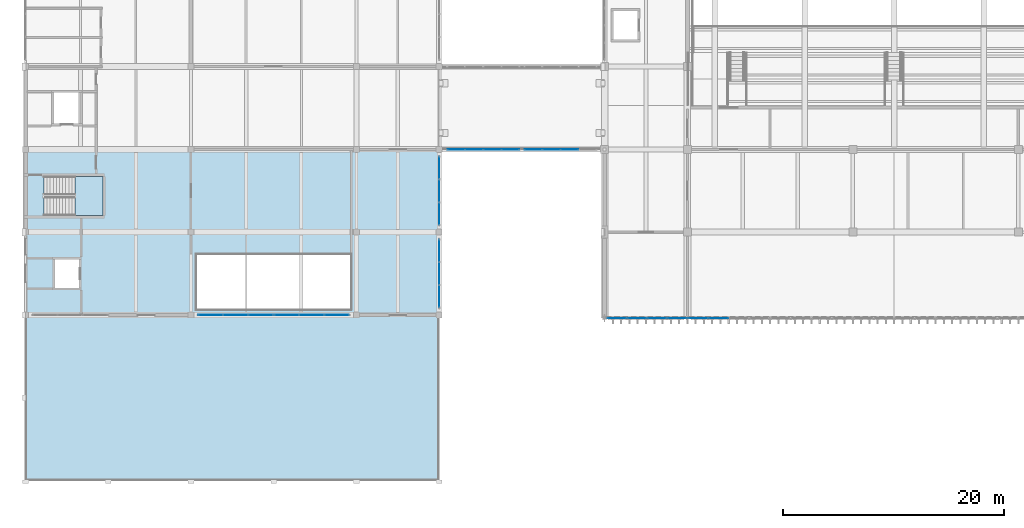
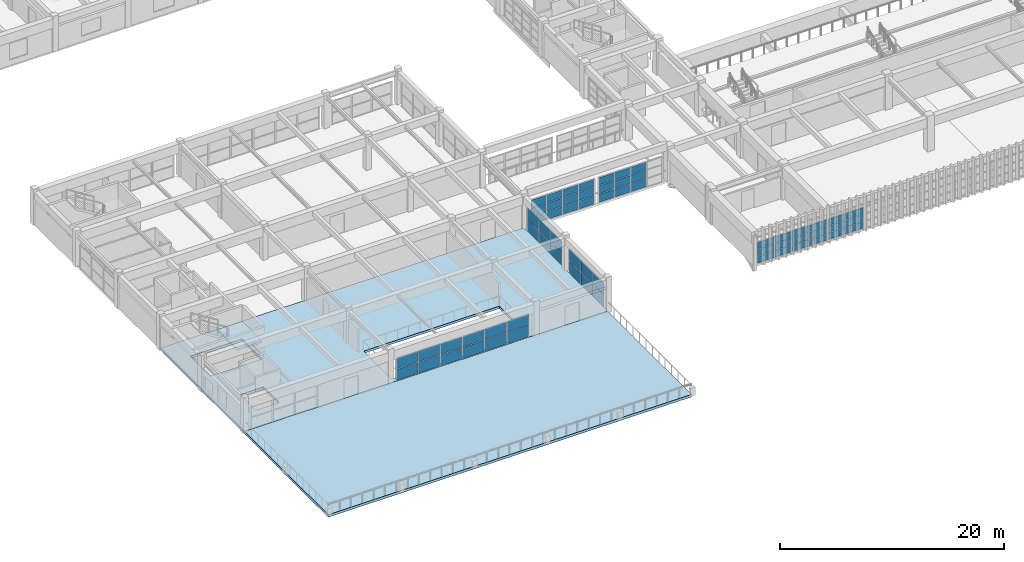
# One storey, part 62 of 101: 63 plates, 3 slabs, 9 elements without a shape of their own.
"""IFC4 building model written with IfcOpenShell, lengths in metres."""

from ifc_helpers import new_model, si_unit, direction, frame, origin, origin_2d, place, context, subcontext, project, spatial, polyline, rectangle, outline, extrude, material, layer, layer_set, type_object, element, aggregate, save


model = new_model("IFC4")

# Units and contexts
model_context = context("Model", 3, precision=1e-05, world=origin(), true_north=direction((0.0, 1.0)))
body_context = subcontext(model_context, "Body", "Model", "MODEL_VIEW")
ifc_project = project(units=[si_unit("LENGTHUNIT", "METRE"), si_unit("AREAUNIT", "SQUARE_METRE"), si_unit("VOLUMEUNIT", "CUBIC_METRE"), si_unit("PLANEANGLEUNIT", "RADIAN"), si_unit("MASSUNIT", "GRAM", prefix="KILO")], contexts=[model_context])

# Site, building, storey
site_placement = place(None, origin())
site = spatial("IfcSite", under=ifc_project, at=site_placement, CompositionType="ELEMENT")
building_placement = place(site_placement, origin())
building = spatial("IfcBuilding", under=site, at=building_placement, Name="Qasida Concert Hall", CompositionType="ELEMENT")
storey_placement = place(building_placement, frame((0.0, 0.0, 13.199951171875)))
storey = spatial("IfcBuildingStorey", under=building, at=storey_placement, Name="L03", CompositionType="ELEMENT", Elevation=13.199951171875)

# Curtain wall, plates
ifc_material_1 = material(Name="Architectural bronze-anodized aluminium and low-E glass", Category="aluminium")
curtain_wall_type_1 = type_object("IfcCurtainWallType", Name="CW-04", PredefinedType="NOTDEFINED", material=ifc_material_1)
curtain_wall_1_placement = place(storey_placement, origin())
curtain_wall_1 = element("IfcCurtainWall", 1, at=curtain_wall_1_placement, inside=storey, type_object=curtain_wall_type_1, Name="L03 curtain wall CW-04 0015", PredefinedType="NOTDEFINED")
ifc_material_2 = material(Name="Solar-control low-E double glazing", Category="glass")
ifc_layer_1 = layer(ifc_material_2, 0.031982421875, Name="Solar-control low-E double glazing")
ifc_layer_set_1 = layer_set([ifc_layer_1], Name="Solar-control low-E double glazing")
plate_type_1 = type_object("IfcPlateType", Name="PLT-CWP-2", PredefinedType="CURTAIN_PANEL", material=ifc_layer_set_1)
plate_1_placement = place(storey_placement, frame((53.626220703125, 14.699951171875, 0.06005859375), z_axis=(0.0, 0.0, 1.0), x_axis=(1.0, 0.0, 0.0)))
plate_1 = element("IfcPlate", 2, at=plate_1_placement, type_object=plate_type_1, Name="CW-04 panel 1.1", PredefinedType="CURTAIN_PANEL", context=body_context, shape_type="SweptSolid", body=[
    extrude(rectangle(XDim=1.722412109375, YDim=0.031982421875, at=origin_2d()), origin(), (0.0, 0.0, 1.0), 0.706787109375),
])
plate_2_placement = place(storey_placement, frame((53.626220703125, 14.699951171875, 0.82666015625), z_axis=(0.0, 0.0, 1.0), x_axis=(1.0, 0.0, 0.0)))
plate_2 = element("IfcPlate", 3, at=plate_2_placement, type_object=plate_type_1, Name="CW-04 panel 1.2", PredefinedType="CURTAIN_PANEL", context=body_context, shape_type="SweptSolid", body=[
    extrude(rectangle(XDim=1.722412109375, YDim=0.031982421875, at=origin_2d()), origin(), (0.0, 0.0, 1.0), 0.736572265625),
])
plate_3_placement = place(storey_placement, frame((53.626220703125, 14.699951171875, 1.62353515625), z_axis=(0.0, 0.0, 1.0), x_axis=(1.0, 0.0, 0.0)))
plate_3 = element("IfcPlate", 4, at=plate_3_placement, type_object=plate_type_1, Name="CW-04 panel 1.3", PredefinedType="CURTAIN_PANEL", context=body_context, shape_type="SweptSolid", body=[
    extrude(rectangle(XDim=1.722412109375, YDim=0.031982421875, at=origin_2d()), origin(), (0.0, 0.0, 1.0), 0.706787109375),
])
plate_4_placement = place(storey_placement, frame((55.429931640625, 14.699951171875, 0.06005859375), z_axis=(0.0, 0.0, 1.0), x_axis=(1.0, 0.0, 0.0)))
plate_4 = element("IfcPlate", 5, at=plate_4_placement, type_object=plate_type_1, Name="CW-04 panel 2.1", PredefinedType="CURTAIN_PANEL", context=body_context, shape_type="SweptSolid", body=[
    extrude(rectangle(XDim=1.7548828125, YDim=0.031982421875, at=origin_2d()), origin(), (0.0, 0.0, 1.0), 0.706787109375),
])
plate_5_placement = place(storey_placement, frame((55.429931640625, 14.699951171875, 0.82666015625), z_axis=(0.0, 0.0, 1.0), x_axis=(1.0, 0.0, 0.0)))
plate_5 = element("IfcPlate", 6, at=plate_5_placement, type_object=plate_type_1, Name="CW-04 panel 2.2", PredefinedType="CURTAIN_PANEL", context=body_context, shape_type="SweptSolid", body=[
    extrude(rectangle(XDim=1.7548828125, YDim=0.031982421875, at=origin_2d()), origin(), (0.0, 0.0, 1.0), 0.736572265625),
])
plate_6_placement = place(storey_placement, frame((55.429931640625, 14.699951171875, 1.62353515625), z_axis=(0.0, 0.0, 1.0), x_axis=(1.0, 0.0, 0.0)))
plate_6 = element("IfcPlate", 7, at=plate_6_placement, type_object=plate_type_1, Name="CW-04 panel 2.3", PredefinedType="CURTAIN_PANEL", context=body_context, shape_type="SweptSolid", body=[
    extrude(rectangle(XDim=1.7548828125, YDim=0.031982421875, at=origin_2d()), origin(), (0.0, 0.0, 1.0), 0.706787109375),
])
plate_7_placement = place(storey_placement, frame((57.25, 14.699951171875, 0.06005859375), z_axis=(0.0, 0.0, 1.0), x_axis=(1.0, 0.0, 0.0)))
plate_7 = element("IfcPlate", 8, at=plate_7_placement, type_object=plate_type_1, Name="CW-04 panel 3.1", PredefinedType="CURTAIN_PANEL", context=body_context, shape_type="SweptSolid", body=[
    extrude(rectangle(XDim=1.7548828125, YDim=0.031982421875, at=origin_2d()), origin(), (0.0, 0.0, 1.0), 0.706787109375),
])
plate_8_placement = place(storey_placement, frame((57.25, 14.699951171875, 0.82666015625), z_axis=(0.0, 0.0, 1.0), x_axis=(1.0, 0.0, 0.0)))
plate_8 = element("IfcPlate", 9, at=plate_8_placement, type_object=plate_type_1, Name="CW-04 panel 3.2", PredefinedType="CURTAIN_PANEL", context=body_context, shape_type="SweptSolid", body=[
    extrude(rectangle(XDim=1.7548828125, YDim=0.031982421875, at=origin_2d()), origin(), (0.0, 0.0, 1.0), 0.736572265625),
])
plate_9_placement = place(storey_placement, frame((57.25, 14.699951171875, 1.62353515625), z_axis=(0.0, 0.0, 1.0), x_axis=(1.0, 0.0, 0.0)))
plate_9 = element("IfcPlate", 10, at=plate_9_placement, type_object=plate_type_1, Name="CW-04 panel 3.3", PredefinedType="CURTAIN_PANEL", context=body_context, shape_type="SweptSolid", body=[
    extrude(rectangle(XDim=1.7548828125, YDim=0.031982421875, at=origin_2d()), origin(), (0.0, 0.0, 1.0), 0.706787109375),
])
plate_10_placement = place(storey_placement, frame((59.0537109375, 14.699951171875, 0.06005859375), z_axis=(0.0, 0.0, 1.0), x_axis=(1.0, 0.0, 0.0)))
plate_10 = element("IfcPlate", 11, at=plate_10_placement, type_object=plate_type_1, Name="CW-04 panel 4.1", PredefinedType="CURTAIN_PANEL", context=body_context, shape_type="SweptSolid", body=[
    extrude(rectangle(XDim=1.722412109375, YDim=0.031982421875, at=origin_2d()), origin(), (0.0, 0.0, 1.0), 0.706787109375),
])
plate_11_placement = place(storey_placement, frame((59.0537109375, 14.699951171875, 0.82666015625), z_axis=(0.0, 0.0, 1.0), x_axis=(1.0, 0.0, 0.0)))
plate_11 = element("IfcPlate", 12, at=plate_11_placement, type_object=plate_type_1, Name="CW-04 panel 4.2", PredefinedType="CURTAIN_PANEL", context=body_context, shape_type="SweptSolid", body=[
    extrude(rectangle(XDim=1.722412109375, YDim=0.031982421875, at=origin_2d()), origin(), (0.0, 0.0, 1.0), 0.736572265625),
])
plate_12_placement = place(storey_placement, frame((59.0537109375, 14.699951171875, 1.62353515625), z_axis=(0.0, 0.0, 1.0), x_axis=(1.0, 0.0, 0.0)))
plate_12 = element("IfcPlate", 13, at=plate_12_placement, type_object=plate_type_1, Name="CW-04 panel 4.3", PredefinedType="CURTAIN_PANEL", context=body_context, shape_type="SweptSolid", body=[
    extrude(rectangle(XDim=1.722412109375, YDim=0.031982421875, at=origin_2d()), origin(), (0.0, 0.0, 1.0), 0.706787109375),
])
aggregate(curtain_wall_1, [plate_1, plate_2, plate_3, plate_4, plate_5, plate_6, plate_7, plate_8, plate_9, plate_10, plate_11, plate_12])

curtain_wall_2_placement = place(storey_placement, origin())
curtain_wall_2 = element("IfcCurtainWall", 14, at=curtain_wall_2_placement, inside=storey, type_object=curtain_wall_type_1, Name="L03 curtain wall CW-04 0016", PredefinedType="NOTDEFINED")
plate_13_placement = place(storey_placement, frame((60.96875, 14.699951171875, 0.06005859375), z_axis=(0.0, 0.0, 1.0), x_axis=(1.0, 0.0, 0.0)))
plate_13 = element("IfcPlate", 15, at=plate_13_placement, type_object=plate_type_1, Name="CW-04 panel 1.1", PredefinedType="CURTAIN_PANEL", context=body_context, shape_type="SweptSolid", body=[
    extrude(rectangle(XDim=1.767578125, YDim=0.031982421875, at=origin_2d()), origin(), (0.0, 0.0, 1.0), 0.706787109375),
])
plate_14_placement = place(storey_placement, frame((60.96875, 14.699951171875, 0.82666015625), z_axis=(0.0, 0.0, 1.0), x_axis=(1.0, 0.0, 0.0)))
plate_14 = element("IfcPlate", 16, at=plate_14_placement, type_object=plate_type_1, Name="CW-04 panel 1.2", PredefinedType="CURTAIN_PANEL", context=body_context, shape_type="SweptSolid", body=[
    extrude(rectangle(XDim=1.767578125, YDim=0.031982421875, at=origin_2d()), origin(), (0.0, 0.0, 1.0), 0.736572265625),
])
plate_15_placement = place(storey_placement, frame((60.96875, 14.699951171875, 1.62353515625), z_axis=(0.0, 0.0, 1.0), x_axis=(1.0, 0.0, 0.0)))
plate_15 = element("IfcPlate", 17, at=plate_15_placement, type_object=plate_type_1, Name="CW-04 panel 1.3", PredefinedType="CURTAIN_PANEL", context=body_context, shape_type="SweptSolid", body=[
    extrude(rectangle(XDim=1.767578125, YDim=0.031982421875, at=origin_2d()), origin(), (0.0, 0.0, 1.0), 0.706787109375),
])
plate_16_placement = place(storey_placement, frame((62.8173828125, 14.699951171875, 0.06005859375), z_axis=(0.0, 0.0, 1.0), x_axis=(1.0, 0.0, 0.0)))
plate_16 = element("IfcPlate", 18, at=plate_16_placement, type_object=plate_type_1, Name="CW-04 panel 2.1", PredefinedType="CURTAIN_PANEL", context=body_context, shape_type="SweptSolid", body=[
    extrude(rectangle(XDim=1.800048828125, YDim=0.031982421875, at=origin_2d()), origin(), (0.0, 0.0, 1.0), 0.706787109375),
])
plate_17_placement = place(storey_placement, frame((62.8173828125, 14.699951171875, 0.82666015625), z_axis=(0.0, 0.0, 1.0), x_axis=(1.0, 0.0, 0.0)))
plate_17 = element("IfcPlate", 19, at=plate_17_placement, type_object=plate_type_1, Name="CW-04 panel 2.2", PredefinedType="CURTAIN_PANEL", context=body_context, shape_type="SweptSolid", body=[
    extrude(rectangle(XDim=1.800048828125, YDim=0.031982421875, at=origin_2d()), origin(), (0.0, 0.0, 1.0), 0.736572265625),
])
plate_18_placement = place(storey_placement, frame((62.8173828125, 14.699951171875, 1.62353515625), z_axis=(0.0, 0.0, 1.0), x_axis=(1.0, 0.0, 0.0)))
plate_18 = element("IfcPlate", 20, at=plate_18_placement, type_object=plate_type_1, Name="CW-04 panel 2.3", PredefinedType="CURTAIN_PANEL", context=body_context, shape_type="SweptSolid", body=[
    extrude(rectangle(XDim=1.800048828125, YDim=0.031982421875, at=origin_2d()), origin(), (0.0, 0.0, 1.0), 0.706787109375),
])
aggregate(curtain_wall_2, [plate_13, plate_14, plate_15, plate_16, plate_17, plate_18])

curtain_wall_type_2 = type_object("IfcCurtainWallType", Name="CW-09", PredefinedType="NOTDEFINED", material=ifc_material_1)
curtain_wall_3_placement = place(storey_placement, origin())
curtain_wall_3 = element("IfcCurtainWall", 21, at=curtain_wall_3_placement, inside=storey, type_object=curtain_wall_type_2, Name="L03 curtain wall CW-09 0120", PredefinedType="NOTDEFINED")
ifc_layer_2 = layer(ifc_material_2, 0.028076171875, Name="Solar-control low-E double glazing")
ifc_layer_set_2 = layer_set([ifc_layer_2], Name="Solar-control low-E double glazing")
plate_type_2 = type_object("IfcPlateType", Name="PLT-CWP-3", PredefinedType="CURTAIN_PANEL", material=ifc_layer_set_2)
plate_19_placement = place(storey_placement, frame((16.780029296875, 15.0, 0.06005859375), z_axis=(0.0, 0.0, 1.0), x_axis=(1.0, 0.0, 0.0)))
plate_19 = element("IfcPlate", 22, at=plate_19_placement, type_object=plate_type_2, Name="CW-09 panel 1.1", PredefinedType="CURTAIN_PANEL", context=body_context, shape_type="SweptSolid", body=[
    extrude(rectangle(XDim=2.199951171875, YDim=0.028076171875, at=origin_2d()), origin(), (0.0, 0.0, 1.0), 1.205078125),
])
plate_20_placement = place(storey_placement, frame((16.780029296875, 15.0, 1.324951171875), z_axis=(0.0, 0.0, 1.0), x_axis=(1.0, 0.0, 0.0)))
plate_20 = element("IfcPlate", 23, at=plate_20_placement, type_object=plate_type_2, Name="CW-09 panel 1.2", PredefinedType="CURTAIN_PANEL", context=body_context, shape_type="SweptSolid", body=[
    extrude(rectangle(XDim=2.199951171875, YDim=0.028076171875, at=origin_2d()), origin(), (0.0, 0.0, 1.0), 1.205078125),
])
plate_21_placement = place(storey_placement, frame((19.054931640625, 15.0, 0.06005859375), z_axis=(0.0, 0.0, 1.0), x_axis=(1.0, 0.0, 0.0)))
plate_21 = element("IfcPlate", 24, at=plate_21_placement, type_object=plate_type_2, Name="CW-09 panel 2.1", PredefinedType="CURTAIN_PANEL", context=body_context, shape_type="SweptSolid", body=[
    extrude(rectangle(XDim=2.22998046875, YDim=0.028076171875, at=origin_2d()), origin(), (0.0, 0.0, 1.0), 1.205078125),
])
plate_22_placement = place(storey_placement, frame((19.054931640625, 15.0, 1.324951171875), z_axis=(0.0, 0.0, 1.0), x_axis=(1.0, 0.0, 0.0)))
plate_22 = element("IfcPlate", 25, at=plate_22_placement, type_object=plate_type_2, Name="CW-09 panel 2.2", PredefinedType="CURTAIN_PANEL", context=body_context, shape_type="SweptSolid", body=[
    extrude(rectangle(XDim=2.22998046875, YDim=0.028076171875, at=origin_2d()), origin(), (0.0, 0.0, 1.0), 1.205078125),
])
plate_23_placement = place(storey_placement, frame((21.330078125, 15.0, 0.06005859375), z_axis=(0.0, 0.0, 1.0), x_axis=(1.0, 0.0, 0.0)))
plate_23 = element("IfcPlate", 26, at=plate_23_placement, type_object=plate_type_2, Name="CW-09 panel 3.1", PredefinedType="CURTAIN_PANEL", context=body_context, shape_type="SweptSolid", body=[
    extrude(rectangle(XDim=2.199951171875, YDim=0.028076171875, at=origin_2d()), origin(), (0.0, 0.0, 1.0), 1.205078125),
])
plate_24_placement = place(storey_placement, frame((21.330078125, 15.0, 1.324951171875), z_axis=(0.0, 0.0, 1.0), x_axis=(1.0, 0.0, 0.0)))
plate_24 = element("IfcPlate", 27, at=plate_24_placement, type_object=plate_type_2, Name="CW-09 panel 3.2", PredefinedType="CURTAIN_PANEL", context=body_context, shape_type="SweptSolid", body=[
    extrude(rectangle(XDim=2.199951171875, YDim=0.028076171875, at=origin_2d()), origin(), (0.0, 0.0, 1.0), 1.205078125),
])
aggregate(curtain_wall_3, [plate_19, plate_20, plate_21, plate_22, plate_23, plate_24])

curtain_wall_4_placement = place(storey_placement, origin())
curtain_wall_4 = element("IfcCurtainWall", 28, at=curtain_wall_4_placement, inside=storey, type_object=curtain_wall_type_2, Name="L03 curtain wall CW-09 0122", PredefinedType="NOTDEFINED")
plate_25_placement = place(storey_placement, frame((23.669921875, 15.0, 0.06005859375), z_axis=(0.0, 0.0, 1.0), x_axis=(1.0, 0.0, 0.0)))
plate_25 = element("IfcPlate", 29, at=plate_25_placement, type_object=plate_type_2, Name="CW-09 panel 1.1", PredefinedType="CURTAIN_PANEL", context=body_context, shape_type="SweptSolid", body=[
    extrude(rectangle(XDim=2.199951171875, YDim=0.028076171875, at=origin_2d()), origin(), (0.0, 0.0, 1.0), 1.205078125),
])
plate_26_placement = place(storey_placement, frame((23.669921875, 15.0, 1.324951171875), z_axis=(0.0, 0.0, 1.0), x_axis=(1.0, 0.0, 0.0)))
plate_26 = element("IfcPlate", 30, at=plate_26_placement, type_object=plate_type_2, Name="CW-09 panel 1.2", PredefinedType="CURTAIN_PANEL", context=body_context, shape_type="SweptSolid", body=[
    extrude(rectangle(XDim=2.199951171875, YDim=0.028076171875, at=origin_2d()), origin(), (0.0, 0.0, 1.0), 1.205078125),
])
plate_27_placement = place(storey_placement, frame((25.945068359375, 15.0, 0.06005859375), z_axis=(0.0, 0.0, 1.0), x_axis=(1.0, 0.0, 0.0)))
plate_27 = element("IfcPlate", 31, at=plate_27_placement, type_object=plate_type_2, Name="CW-09 panel 2.1", PredefinedType="CURTAIN_PANEL", context=body_context, shape_type="SweptSolid", body=[
    extrude(rectangle(XDim=2.22998046875, YDim=0.028076171875, at=origin_2d()), origin(), (0.0, 0.0, 1.0), 1.205078125),
])
plate_28_placement = place(storey_placement, frame((25.945068359375, 15.0, 1.324951171875), z_axis=(0.0, 0.0, 1.0), x_axis=(1.0, 0.0, 0.0)))
plate_28 = element("IfcPlate", 32, at=plate_28_placement, type_object=plate_type_2, Name="CW-09 panel 2.2", PredefinedType="CURTAIN_PANEL", context=body_context, shape_type="SweptSolid", body=[
    extrude(rectangle(XDim=2.22998046875, YDim=0.028076171875, at=origin_2d()), origin(), (0.0, 0.0, 1.0), 1.205078125),
])
plate_29_placement = place(storey_placement, frame((28.219970703125, 15.0, 0.06005859375), z_axis=(0.0, 0.0, 1.0), x_axis=(1.0, 0.0, 0.0)))
plate_29 = element("IfcPlate", 33, at=plate_29_placement, type_object=plate_type_2, Name="CW-09 panel 3.1", PredefinedType="CURTAIN_PANEL", context=body_context, shape_type="SweptSolid", body=[
    extrude(rectangle(XDim=2.199951171875, YDim=0.028076171875, at=origin_2d()), origin(), (0.0, 0.0, 1.0), 1.205078125),
])
plate_30_placement = place(storey_placement, frame((28.219970703125, 15.0, 1.324951171875), z_axis=(0.0, 0.0, 1.0), x_axis=(1.0, 0.0, 0.0)))
plate_30 = element("IfcPlate", 34, at=plate_30_placement, type_object=plate_type_2, Name="CW-09 panel 3.2", PredefinedType="CURTAIN_PANEL", context=body_context, shape_type="SweptSolid", body=[
    extrude(rectangle(XDim=2.199951171875, YDim=0.028076171875, at=origin_2d()), origin(), (0.0, 0.0, 1.0), 1.205078125),
])
aggregate(curtain_wall_4, [plate_25, plate_26, plate_27, plate_28, plate_29, plate_30])

curtain_wall_5_placement = place(storey_placement, origin())
curtain_wall_5 = element("IfcCurtainWall", 35, at=curtain_wall_5_placement, inside=storey, type_object=curtain_wall_type_2, Name="L03 curtain wall CW-09 0125", PredefinedType="NOTDEFINED")
plate_31_placement = place(storey_placement, frame((37.5, 16.67822265625, 0.06005859375), z_axis=(0.0, 0.0, 1.0), x_axis=(0.0, 1.0, 0.0)))
plate_31 = element("IfcPlate", 36, at=plate_31_placement, type_object=plate_type_2, Name="CW-09 panel 1.1", PredefinedType="CURTAIN_PANEL", context=body_context, shape_type="SweptSolid", body=[
    extrude(rectangle(XDim=1.99658203125, YDim=0.028076171875, at=origin_2d()), origin(), (0.0, 0.0, 1.0), 1.280029296875),
])
plate_32_placement = place(storey_placement, frame((37.5, 16.67822265625, 1.39990234375), z_axis=(0.0, 0.0, 1.0), x_axis=(0.0, 1.0, 0.0)))
plate_32 = element("IfcPlate", 37, at=plate_32_placement, type_object=plate_type_2, Name="CW-09 panel 1.2", PredefinedType="CURTAIN_PANEL", context=body_context, shape_type="SweptSolid", body=[
    extrude(rectangle(XDim=1.99658203125, YDim=0.028076171875, at=origin_2d()), origin(), (0.0, 0.0, 1.0), 1.280029296875),
])
plate_33_placement = place(storey_placement, frame((37.5, 18.75, 0.06005859375), z_axis=(0.0, 0.0, 1.0), x_axis=(0.0, 1.0, 0.0)))
plate_33 = element("IfcPlate", 38, at=plate_33_placement, type_object=plate_type_2, Name="CW-09 panel 2.1", PredefinedType="CURTAIN_PANEL", context=body_context, shape_type="SweptSolid", body=[
    extrude(rectangle(XDim=2.026611328125, YDim=0.028076171875, at=origin_2d()), origin(), (0.0, 0.0, 1.0), 1.280029296875),
])
plate_34_placement = place(storey_placement, frame((37.5, 18.75, 1.39990234375), z_axis=(0.0, 0.0, 1.0), x_axis=(0.0, 1.0, 0.0)))
plate_34 = element("IfcPlate", 39, at=plate_34_placement, type_object=plate_type_2, Name="CW-09 panel 2.2", PredefinedType="CURTAIN_PANEL", context=body_context, shape_type="SweptSolid", body=[
    extrude(rectangle(XDim=2.026611328125, YDim=0.028076171875, at=origin_2d()), origin(), (0.0, 0.0, 1.0), 1.280029296875),
])
plate_35_placement = place(storey_placement, frame((37.5, 20.82177734375, 0.06005859375), z_axis=(0.0, 0.0, 1.0), x_axis=(0.0, 1.0, 0.0)))
plate_35 = element("IfcPlate", 40, at=plate_35_placement, type_object=plate_type_2, Name="CW-09 panel 3.1", PredefinedType="CURTAIN_PANEL", context=body_context, shape_type="SweptSolid", body=[
    extrude(rectangle(XDim=1.99658203125, YDim=0.028076171875, at=origin_2d()), origin(), (0.0, 0.0, 1.0), 1.280029296875),
])
plate_36_placement = place(storey_placement, frame((37.5, 20.82177734375, 1.39990234375), z_axis=(0.0, 0.0, 1.0), x_axis=(0.0, 1.0, 0.0)))
plate_36 = element("IfcPlate", 41, at=plate_36_placement, type_object=plate_type_2, Name="CW-09 panel 3.2", PredefinedType="CURTAIN_PANEL", context=body_context, shape_type="SweptSolid", body=[
    extrude(rectangle(XDim=1.99658203125, YDim=0.028076171875, at=origin_2d()), origin(), (0.0, 0.0, 1.0), 1.280029296875),
])
aggregate(curtain_wall_5, [plate_31, plate_32, plate_33, plate_34, plate_35, plate_36])

curtain_wall_6_placement = place(storey_placement, origin())
curtain_wall_6 = element("IfcCurtainWall", 42, at=curtain_wall_6_placement, inside=storey, type_object=curtain_wall_type_2, Name="L03 curtain wall CW-09 0126", PredefinedType="NOTDEFINED")
plate_37_placement = place(storey_placement, frame((37.5, 24.17822265625, 0.06005859375), z_axis=(0.0, 0.0, 1.0), x_axis=(0.0, 1.0, 0.0)))
plate_37 = element("IfcPlate", 43, at=plate_37_placement, type_object=plate_type_2, Name="CW-09 panel 1.1", PredefinedType="CURTAIN_PANEL", context=body_context, shape_type="SweptSolid", body=[
    extrude(rectangle(XDim=1.99658203125, YDim=0.028076171875, at=origin_2d()), origin(), (0.0, 0.0, 1.0), 1.2548828125),
])
plate_38_placement = place(storey_placement, frame((37.5, 24.17822265625, 1.375), z_axis=(0.0, 0.0, 1.0), x_axis=(0.0, 1.0, 0.0)))
plate_38 = element("IfcPlate", 44, at=plate_38_placement, type_object=plate_type_2, Name="CW-09 panel 1.2", PredefinedType="CURTAIN_PANEL", context=body_context, shape_type="SweptSolid", body=[
    extrude(rectangle(XDim=1.99658203125, YDim=0.028076171875, at=origin_2d()), origin(), (0.0, 0.0, 1.0), 1.2548828125),
])
plate_39_placement = place(storey_placement, frame((37.5, 26.25, 0.06005859375), z_axis=(0.0, 0.0, 1.0), x_axis=(0.0, 1.0, 0.0)))
plate_39 = element("IfcPlate", 45, at=plate_39_placement, type_object=plate_type_2, Name="CW-09 panel 2.1", PredefinedType="CURTAIN_PANEL", context=body_context, shape_type="SweptSolid", body=[
    extrude(rectangle(XDim=2.026611328125, YDim=0.028076171875, at=origin_2d()), origin(), (0.0, 0.0, 1.0), 1.2548828125),
])
plate_40_placement = place(storey_placement, frame((37.5, 26.25, 1.375), z_axis=(0.0, 0.0, 1.0), x_axis=(0.0, 1.0, 0.0)))
plate_40 = element("IfcPlate", 46, at=plate_40_placement, type_object=plate_type_2, Name="CW-09 panel 2.2", PredefinedType="CURTAIN_PANEL", context=body_context, shape_type="SweptSolid", body=[
    extrude(rectangle(XDim=2.026611328125, YDim=0.028076171875, at=origin_2d()), origin(), (0.0, 0.0, 1.0), 1.2548828125),
])
plate_41_placement = place(storey_placement, frame((37.5, 28.32177734375, 0.06005859375), z_axis=(0.0, 0.0, 1.0), x_axis=(0.0, 1.0, 0.0)))
plate_41 = element("IfcPlate", 47, at=plate_41_placement, type_object=plate_type_2, Name="CW-09 panel 3.1", PredefinedType="CURTAIN_PANEL", context=body_context, shape_type="SweptSolid", body=[
    extrude(rectangle(XDim=1.99658203125, YDim=0.028076171875, at=origin_2d()), origin(), (0.0, 0.0, 1.0), 1.2548828125),
])
plate_42_placement = place(storey_placement, frame((37.5, 28.32177734375, 1.375), z_axis=(0.0, 0.0, 1.0), x_axis=(0.0, 1.0, 0.0)))
plate_42 = element("IfcPlate", 48, at=plate_42_placement, type_object=plate_type_2, Name="CW-09 panel 3.2", PredefinedType="CURTAIN_PANEL", context=body_context, shape_type="SweptSolid", body=[
    extrude(rectangle(XDim=1.99658203125, YDim=0.028076171875, at=origin_2d()), origin(), (0.0, 0.0, 1.0), 1.2548828125),
])
aggregate(curtain_wall_6, [plate_37, plate_38, plate_39, plate_40, plate_41, plate_42])

curtain_wall_7_placement = place(storey_placement, origin())
curtain_wall_7 = element("IfcCurtainWall", 49, at=curtain_wall_7_placement, inside=storey, type_object=curtain_wall_type_2, Name="L03 link bridge glazing 0206", PredefinedType="NOTDEFINED")
plate_43_placement = place(storey_placement, frame((39.0400390625, 30.0, 0.06005859375), z_axis=(0.0, 0.0, 1.0), x_axis=(1.0, 0.0, 0.0)))
plate_43 = element("IfcPlate", 50, at=plate_43_placement, type_object=plate_type_2, Name="CW-09 panel 1.1", PredefinedType="CURTAIN_PANEL", context=body_context, shape_type="SweptSolid", body=[
    extrude(rectangle(XDim=1.56005859375, YDim=0.028076171875, at=origin_2d()), origin(), (0.0, 0.0, 1.0), 0.860107421875),
])
plate_44_placement = place(storey_placement, frame((39.0400390625, 30.0, 0.97998046875), z_axis=(0.0, 0.0, 1.0), x_axis=(1.0, 0.0, 0.0)))
plate_44 = element("IfcPlate", 51, at=plate_44_placement, type_object=plate_type_2, Name="CW-09 panel 1.2", PredefinedType="CURTAIN_PANEL", context=body_context, shape_type="SweptSolid", body=[
    extrude(rectangle(XDim=1.56005859375, YDim=0.028076171875, at=origin_2d()), origin(), (0.0, 0.0, 1.0), 0.889892578125),
])
plate_45_placement = place(storey_placement, frame((39.0400390625, 30.0, 1.929931640625), z_axis=(0.0, 0.0, 1.0), x_axis=(1.0, 0.0, 0.0)))
plate_45 = element("IfcPlate", 52, at=plate_45_placement, type_object=plate_type_2, Name="CW-09 panel 1.3", PredefinedType="CURTAIN_PANEL", context=body_context, shape_type="SweptSolid", body=[
    extrude(rectangle(XDim=1.56005859375, YDim=0.028076171875, at=origin_2d()), origin(), (0.0, 0.0, 1.0), 0.81005859375),
])
plate_46_placement = place(storey_placement, frame((40.675048828125, 30.0, 0.06005859375), z_axis=(0.0, 0.0, 1.0), x_axis=(1.0, 0.0, 0.0)))
plate_46 = element("IfcPlate", 53, at=plate_46_placement, type_object=plate_type_2, Name="CW-09 panel 2.1", PredefinedType="CURTAIN_PANEL", context=body_context, shape_type="SweptSolid", body=[
    extrude(rectangle(XDim=1.590087890625, YDim=0.028076171875, at=origin_2d()), origin(), (0.0, 0.0, 1.0), 0.860107421875),
])
plate_47_placement = place(storey_placement, frame((40.675048828125, 30.0, 0.97998046875), z_axis=(0.0, 0.0, 1.0), x_axis=(1.0, 0.0, 0.0)))
plate_47 = element("IfcPlate", 54, at=plate_47_placement, type_object=plate_type_2, Name="CW-09 panel 2.2", PredefinedType="CURTAIN_PANEL", context=body_context, shape_type="SweptSolid", body=[
    extrude(rectangle(XDim=1.590087890625, YDim=0.028076171875, at=origin_2d()), origin(), (0.0, 0.0, 1.0), 0.889892578125),
])
plate_48_placement = place(storey_placement, frame((40.675048828125, 30.0, 1.929931640625), z_axis=(0.0, 0.0, 1.0), x_axis=(1.0, 0.0, 0.0)))
plate_48 = element("IfcPlate", 55, at=plate_48_placement, type_object=plate_type_2, Name="CW-09 panel 2.3", PredefinedType="CURTAIN_PANEL", context=body_context, shape_type="SweptSolid", body=[
    extrude(rectangle(XDim=1.590087890625, YDim=0.028076171875, at=origin_2d()), origin(), (0.0, 0.0, 1.0), 0.81005859375),
])
plate_49_placement = place(storey_placement, frame((42.324951171875, 30.0, 0.06005859375), z_axis=(0.0, 0.0, 1.0), x_axis=(1.0, 0.0, 0.0)))
plate_49 = element("IfcPlate", 56, at=plate_49_placement, type_object=plate_type_2, Name="CW-09 panel 3.1", PredefinedType="CURTAIN_PANEL", context=body_context, shape_type="SweptSolid", body=[
    extrude(rectangle(XDim=1.590087890625, YDim=0.028076171875, at=origin_2d()), origin(), (0.0, 0.0, 1.0), 0.860107421875),
])
plate_50_placement = place(storey_placement, frame((42.324951171875, 30.0, 0.97998046875), z_axis=(0.0, 0.0, 1.0), x_axis=(1.0, 0.0, 0.0)))
plate_50 = element("IfcPlate", 57, at=plate_50_placement, type_object=plate_type_2, Name="CW-09 panel 3.2", PredefinedType="CURTAIN_PANEL", context=body_context, shape_type="SweptSolid", body=[
    extrude(rectangle(XDim=1.590087890625, YDim=0.028076171875, at=origin_2d()), origin(), (0.0, 0.0, 1.0), 0.889892578125),
])
plate_51_placement = place(storey_placement, frame((42.324951171875, 30.0, 1.929931640625), z_axis=(0.0, 0.0, 1.0), x_axis=(1.0, 0.0, 0.0)))
plate_51 = element("IfcPlate", 58, at=plate_51_placement, type_object=plate_type_2, Name="CW-09 panel 3.3", PredefinedType="CURTAIN_PANEL", context=body_context, shape_type="SweptSolid", body=[
    extrude(rectangle(XDim=1.590087890625, YDim=0.028076171875, at=origin_2d()), origin(), (0.0, 0.0, 1.0), 0.81005859375),
])
plate_52_placement = place(storey_placement, frame((43.9599609375, 30.0, 0.06005859375), z_axis=(0.0, 0.0, 1.0), x_axis=(1.0, 0.0, 0.0)))
plate_52 = element("IfcPlate", 59, at=plate_52_placement, type_object=plate_type_2, Name="CW-09 panel 4.1", PredefinedType="CURTAIN_PANEL", context=body_context, shape_type="SweptSolid", body=[
    extrude(rectangle(XDim=1.56005859375, YDim=0.028076171875, at=origin_2d()), origin(), (0.0, 0.0, 1.0), 0.860107421875),
])
plate_53_placement = place(storey_placement, frame((43.9599609375, 30.0, 0.97998046875), z_axis=(0.0, 0.0, 1.0), x_axis=(1.0, 0.0, 0.0)))
plate_53 = element("IfcPlate", 60, at=plate_53_placement, type_object=plate_type_2, Name="CW-09 panel 4.2", PredefinedType="CURTAIN_PANEL", context=body_context, shape_type="SweptSolid", body=[
    extrude(rectangle(XDim=1.56005859375, YDim=0.028076171875, at=origin_2d()), origin(), (0.0, 0.0, 1.0), 0.889892578125),
])
plate_54_placement = place(storey_placement, frame((43.9599609375, 30.0, 1.929931640625), z_axis=(0.0, 0.0, 1.0), x_axis=(1.0, 0.0, 0.0)))
plate_54 = element("IfcPlate", 61, at=plate_54_placement, type_object=plate_type_2, Name="CW-09 panel 4.3", PredefinedType="CURTAIN_PANEL", context=body_context, shape_type="SweptSolid", body=[
    extrude(rectangle(XDim=1.56005859375, YDim=0.028076171875, at=origin_2d()), origin(), (0.0, 0.0, 1.0), 0.81005859375),
])
aggregate(curtain_wall_7, [plate_43, plate_44, plate_45, plate_46, plate_47, plate_48, plate_49, plate_50, plate_51, plate_52, plate_53, plate_54])

curtain_wall_8_placement = place(storey_placement, origin())
curtain_wall_8 = element("IfcCurtainWall", 62, at=curtain_wall_8_placement, inside=storey, type_object=curtain_wall_type_2, Name="L03 link bridge glazing 0208", PredefinedType="NOTDEFINED")
plate_55_placement = place(storey_placement, frame((46.0400390625, 30.0, 0.06005859375), z_axis=(0.0, 0.0, 1.0), x_axis=(1.0, 0.0, 0.0)))
plate_55 = element("IfcPlate", 63, at=plate_55_placement, type_object=plate_type_2, Name="CW-09 panel 1.1", PredefinedType="CURTAIN_PANEL", context=body_context, shape_type="SweptSolid", body=[
    extrude(rectangle(XDim=1.56005859375, YDim=0.028076171875, at=origin_2d()), origin(), (0.0, 0.0, 1.0), 0.860107421875),
])
plate_56_placement = place(storey_placement, frame((46.0400390625, 30.0, 0.97998046875), z_axis=(0.0, 0.0, 1.0), x_axis=(1.0, 0.0, 0.0)))
plate_56 = element("IfcPlate", 64, at=plate_56_placement, type_object=plate_type_2, Name="CW-09 panel 1.2", PredefinedType="CURTAIN_PANEL", context=body_context, shape_type="SweptSolid", body=[
    extrude(rectangle(XDim=1.56005859375, YDim=0.028076171875, at=origin_2d()), origin(), (0.0, 0.0, 1.0), 0.889892578125),
])
plate_57_placement = place(storey_placement, frame((46.0400390625, 30.0, 1.929931640625), z_axis=(0.0, 0.0, 1.0), x_axis=(1.0, 0.0, 0.0)))
plate_57 = element("IfcPlate", 65, at=plate_57_placement, type_object=plate_type_2, Name="CW-09 panel 1.3", PredefinedType="CURTAIN_PANEL", context=body_context, shape_type="SweptSolid", body=[
    extrude(rectangle(XDim=1.56005859375, YDim=0.028076171875, at=origin_2d()), origin(), (0.0, 0.0, 1.0), 0.81005859375),
])
plate_58_placement = place(storey_placement, frame((47.675048828125, 30.0, 0.06005859375), z_axis=(0.0, 0.0, 1.0), x_axis=(1.0, 0.0, 0.0)))
plate_58 = element("IfcPlate", 66, at=plate_58_placement, type_object=plate_type_2, Name="CW-09 panel 2.1", PredefinedType="CURTAIN_PANEL", context=body_context, shape_type="SweptSolid", body=[
    extrude(rectangle(XDim=1.590087890625, YDim=0.028076171875, at=origin_2d()), origin(), (0.0, 0.0, 1.0), 0.860107421875),
])
plate_59_placement = place(storey_placement, frame((47.675048828125, 30.0, 0.97998046875), z_axis=(0.0, 0.0, 1.0), x_axis=(1.0, 0.0, 0.0)))
plate_59 = element("IfcPlate", 67, at=plate_59_placement, type_object=plate_type_2, Name="CW-09 panel 2.2", PredefinedType="CURTAIN_PANEL", context=body_context, shape_type="SweptSolid", body=[
    extrude(rectangle(XDim=1.590087890625, YDim=0.028076171875, at=origin_2d()), origin(), (0.0, 0.0, 1.0), 0.889892578125),
])
plate_60_placement = place(storey_placement, frame((47.675048828125, 30.0, 1.929931640625), z_axis=(0.0, 0.0, 1.0), x_axis=(1.0, 0.0, 0.0)))
plate_60 = element("IfcPlate", 68, at=plate_60_placement, type_object=plate_type_2, Name="CW-09 panel 2.3", PredefinedType="CURTAIN_PANEL", context=body_context, shape_type="SweptSolid", body=[
    extrude(rectangle(XDim=1.590087890625, YDim=0.028076171875, at=origin_2d()), origin(), (0.0, 0.0, 1.0), 0.81005859375),
])
plate_61_placement = place(storey_placement, frame((49.324951171875, 30.0, 0.06005859375), z_axis=(0.0, 0.0, 1.0), x_axis=(1.0, 0.0, 0.0)))
plate_61 = element("IfcPlate", 69, at=plate_61_placement, type_object=plate_type_2, Name="CW-09 panel 3.1", PredefinedType="CURTAIN_PANEL", context=body_context, shape_type="SweptSolid", body=[
    extrude(rectangle(XDim=1.590087890625, YDim=0.028076171875, at=origin_2d()), origin(), (0.0, 0.0, 1.0), 0.860107421875),
])
plate_62_placement = place(storey_placement, frame((49.324951171875, 30.0, 0.97998046875), z_axis=(0.0, 0.0, 1.0), x_axis=(1.0, 0.0, 0.0)))
plate_62 = element("IfcPlate", 70, at=plate_62_placement, type_object=plate_type_2, Name="CW-09 panel 3.2", PredefinedType="CURTAIN_PANEL", context=body_context, shape_type="SweptSolid", body=[
    extrude(rectangle(XDim=1.590087890625, YDim=0.028076171875, at=origin_2d()), origin(), (0.0, 0.0, 1.0), 0.889892578125),
])
plate_63_placement = place(storey_placement, frame((49.324951171875, 30.0, 1.929931640625), z_axis=(0.0, 0.0, 1.0), x_axis=(1.0, 0.0, 0.0)))
plate_63 = element("IfcPlate", 71, at=plate_63_placement, type_object=plate_type_2, Name="CW-09 panel 3.3", PredefinedType="CURTAIN_PANEL", context=body_context, shape_type="SweptSolid", body=[
    extrude(rectangle(XDim=1.590087890625, YDim=0.028076171875, at=origin_2d()), origin(), (0.0, 0.0, 1.0), 0.81005859375),
])
aggregate(curtain_wall_8, [plate_55, plate_56, plate_57, plate_58, plate_59, plate_60, plate_61, plate_62, plate_63])

# Slab
ifc_material_3 = material(Name="Concrete C40/50", Category="concrete")
ifc_layer_3 = layer(ifc_material_3, 0.260009765625, Name="Concrete C40/50")
ifc_layer_set_3 = layer_set([ifc_layer_3], Name="Concrete C40/50")
slab_type_1 = type_object("IfcSlabType", Name="SL-FS-260", PredefinedType="FLOOR", material=ifc_layer_set_3)
slab_1_placement = place(storey_placement, frame((0.0, 0.0, -0.260009765625)))
element("IfcSlab", 72, at=slab_1_placement, inside=storey, type_object=slab_type_1, Name="V3 patron salon south (FS-260)", PredefinedType="FLOOR", context=body_context, shape_type="SweptSolid", body=[
    extrude(outline(polyline([(0.0, 15.0), (37.5, 15.0), (37.5, 30.0), (0.0, 30.0), (0.0, 15.0)]), holes=[polyline([(15.5, 15.5), (29.5, 15.5), (29.5, 20.5), (15.5, 20.5), (15.5, 15.5)]), polyline([(2.550048828125, 17.35009765625), (4.949951171875, 17.35009765625), (4.949951171875, 20.14990234375), (2.550048828125, 20.14990234375), (2.550048828125, 17.35009765625)]), polyline([(1.68994140625, 24.0), (7.02001953125, 24.0), (7.02001953125, 27.56005859375), (1.68994140625, 27.56005859375), (1.68994140625, 24.0)])]), origin(), (0.0, 0.0, 1.0), 0.260009765625),
])

# Stair, slab
stair_type = type_object("IfcStairType", Name="ST-DL-168", PredefinedType="HALF_TURN_STAIR", material=ifc_material_3)
stair_placement = place(storey_placement, origin())
stair = element("IfcStair", 73, at=stair_placement, inside=storey, type_object=stair_type, Name="L03 Exit stair ST-03", PredefinedType="HALF_TURN_STAIR")
ifc_layer_4 = layer(ifc_material_3, 0.199951171875, Name="Concrete C40/50")
ifc_layer_set_4 = layer_set([ifc_layer_4], Name="Concrete C40/50")
slab_type_2 = type_object("IfcSlabType", Name="SL-LND-200", PredefinedType="LANDING", material=ifc_layer_set_4)
slab_2_placement = place(storey_placement, frame((0.0, 0.0, 1.75)))
slab_2 = element("IfcSlab", 74, at=slab_2_placement, type_object=slab_type_2, Name="ST-03 landing 1", PredefinedType="LANDING", context=body_context, shape_type="SweptSolid", body=[
    extrude(outline(polyline([(4.47998046875, 24.0), (7.02001953125, 24.0), (7.02001953125, 27.56005859375), (4.47998046875, 27.56005859375), (4.47998046875, 24.0)])), origin(), (0.0, 0.0, 1.0), 0.199951171875),
])
aggregate(stair, [slab_2])

# Slab
ifc_layer_5 = layer(ifc_material_3, 0.280029296875, Name="Concrete C40/50")
ifc_layer_set_5 = layer_set([ifc_layer_5], Name="Concrete C40/50")
slab_type_3 = type_object("IfcSlabType", Name="SL-TS-280", PredefinedType="ROOF", material=ifc_layer_set_5)
slab_3_placement = place(storey_placement, frame((0.0, 0.0, -0.280029296875)))
element("IfcSlab", 75, at=slab_3_placement, inside=storey, type_object=slab_type_3, Name="V3 south planted roof terrace (TS-280)", PredefinedType="ROOF", context=body_context, shape_type="SweptSolid", body=[
    extrude(outline(polyline([(0.0, 0.0), (37.5, 0.0), (37.5, 15.0), (0.0, 15.0), (0.0, 0.0)])), origin(), (0.0, 0.0, 1.0), 0.280029296875),
])

save(model, "model.ifc")
